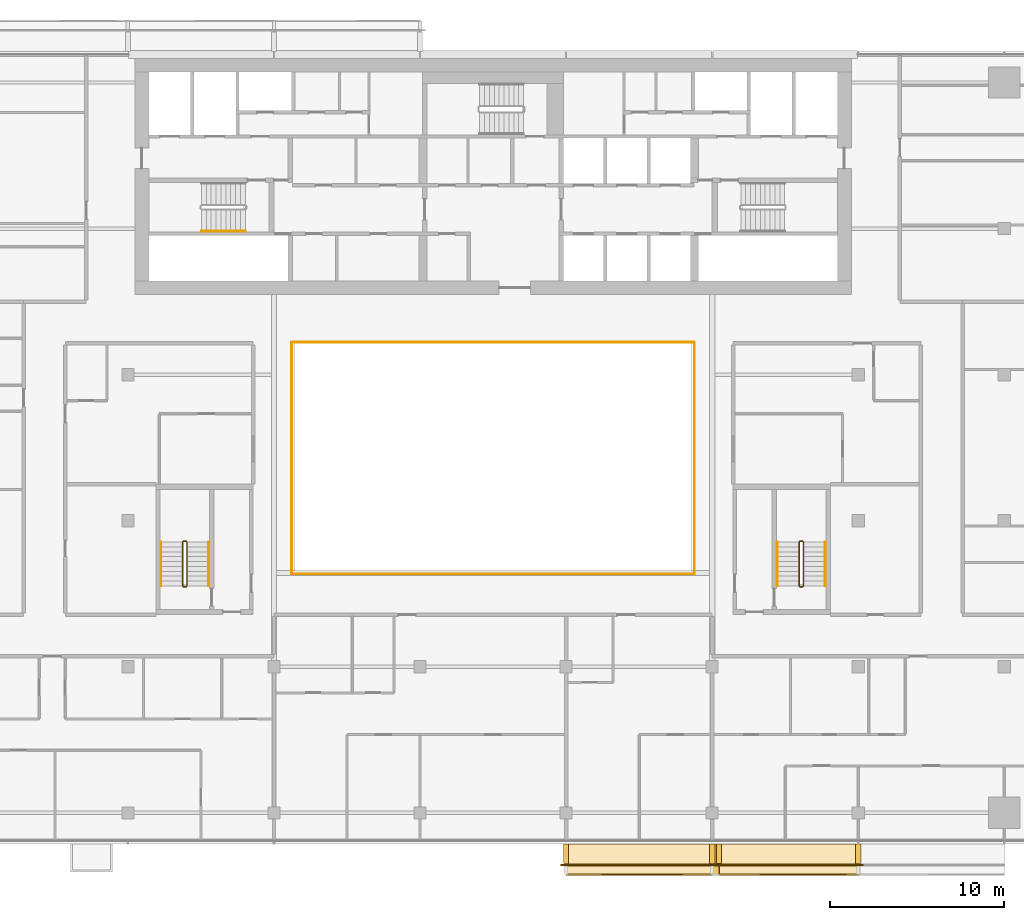
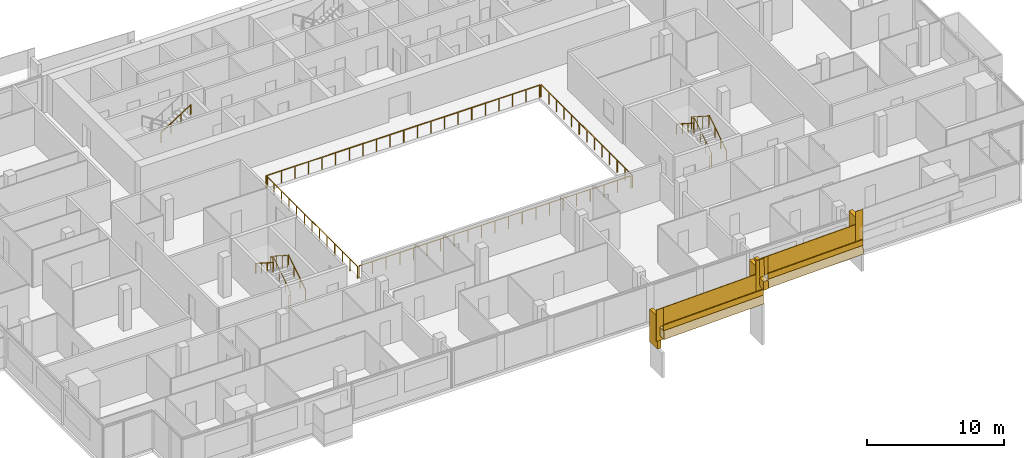
# One storey, part 26 of 28: 18 railings, 9 coverings.
"""IFC4 building model written with IfcOpenShell, lengths in metres."""

from ifc_helpers import new_model, si_unit, direction, frame, origin, origin_2d, place, context, subcontext, project, spatial, polyline, rectangle, circle, outline, extrude, material, layer, layer_set, type_object, element, save


model = new_model("IFC4")

# Units and contexts
model_context = context("Model", 3, precision=1e-05, world=origin(), true_north=direction((0.0, 1.0)))
body_context = subcontext(model_context, "Body", "Model", "MODEL_VIEW")
ifc_project = project(units=[si_unit("LENGTHUNIT", "METRE"), si_unit("AREAUNIT", "SQUARE_METRE"), si_unit("VOLUMEUNIT", "CUBIC_METRE"), si_unit("PLANEANGLEUNIT", "RADIAN"), si_unit("MASSUNIT", "GRAM", prefix="KILO")], contexts=[model_context])

# Site, building, storey
site_placement = place(None, origin())
site = spatial("IfcSite", under=ifc_project, at=site_placement, CompositionType="ELEMENT")
building_placement = place(site_placement, origin())
building = spatial("IfcBuilding", under=site, at=building_placement, Name="Saffron Gate Tower", CompositionType="ELEMENT")
storey_placement = place(building_placement, frame((0.0, 0.0, 176.25)))
storey = spatial("IfcBuildingStorey", under=building, at=storey_placement, Name="L43", CompositionType="ELEMENT", Elevation=176.25)

# Railings
ifc_material_1 = material(Name="Stainless steel and laminated glass", Category="steel")
railing_type_1 = type_object("IfcRailingType", Name="AG1 Atrium edge guard 1100", PredefinedType="GUARDRAIL", material=ifc_material_1)
railing_1_placement = place(storey_placement, frame((76.02001953125, 45.5400390625, 0.0)))
element("IfcRailing", 1, at=railing_1_placement, inside=storey, type_object=railing_type_1, Name="Guard C3-1", PredefinedType="GUARDRAIL", context=body_context, shape_type="SweptSolid", body=[
    extrude(circle(Radius=0.02392578125, at=origin_2d()), frame((0.0, 0.0, 1.076171875), z_axis=(0.0, 1.0, 0.0), x_axis=(-1.0, 0.0, 0.0)), (0.0, 0.0, 1.0), 13.320068359375),
    extrude(circle(Radius=0.02099609375, at=origin_2d()), origin(), (0.0, 0.0, 1.0), 1.052001953125),
    extrude(circle(Radius=0.02099609375, at=origin_2d()), frame((0.0, 1.110107421875, 0.0)), (0.0, 0.0, 1.0), 1.052001953125),
    extrude(circle(Radius=0.02099609375, at=origin_2d()), frame((0.0, 2.219970703125, 0.0)), (0.0, 0.0, 1.0), 1.052001953125),
    extrude(circle(Radius=0.02099609375, at=origin_2d()), frame((0.0, 3.330078125, 0.0)), (0.0, 0.0, 1.0), 1.052001953125),
    extrude(circle(Radius=0.02099609375, at=origin_2d()), frame((0.0, 4.43994140625, 0.0)), (0.0, 0.0, 1.0), 1.052001953125),
    extrude(circle(Radius=0.02099609375, at=origin_2d()), frame((0.0, 5.550048828125, 0.0)), (0.0, 0.0, 1.0), 1.052001953125),
    extrude(circle(Radius=0.02099609375, at=origin_2d()), frame((0.0, 6.66015625, 0.0)), (0.0, 0.0, 1.0), 1.052001953125),
    extrude(circle(Radius=0.02099609375, at=origin_2d()), frame((0.0, 7.77001953125, 0.0)), (0.0, 0.0, 1.0), 1.052001953125),
    extrude(circle(Radius=0.02099609375, at=origin_2d()), frame((0.0, 8.880126953125, 0.0)), (0.0, 0.0, 1.0), 1.052001953125),
    extrude(circle(Radius=0.02099609375, at=origin_2d()), frame((0.0, 9.989990234375, 0.0)), (0.0, 0.0, 1.0), 1.052001953125),
    extrude(circle(Radius=0.02099609375, at=origin_2d()), frame((0.0, 11.10009765625, 0.0)), (0.0, 0.0, 1.0), 1.052001953125),
    extrude(circle(Radius=0.02099609375, at=origin_2d()), frame((0.0, 12.2099609375, 0.0)), (0.0, 0.0, 1.0), 1.052001953125),
    extrude(circle(Radius=0.02099609375, at=origin_2d()), frame((0.0, 13.320068359375, 0.0)), (0.0, 0.0, 1.0), 1.052001953125),
])
railing_2_placement = place(storey_placement, frame((76.139892578125, 58.860107421875, 0.0)))
element("IfcRailing", 2, at=railing_2_placement, inside=storey, type_object=railing_type_1, Name="Guard C3-2", PredefinedType="GUARDRAIL", context=body_context, shape_type="SweptSolid", body=[
    extrude(circle(Radius=0.02392578125, at=origin_2d()), frame((0.0, 0.0, 1.076171875), z_axis=(1.0, 0.0, 0.0), x_axis=(0.0, 1.0, 0.0)), (0.0, 0.0, 1.0), 22.920166015625),
    extrude(circle(Radius=0.02099609375, at=origin_2d()), origin(), (0.0, 0.0, 1.0), 1.052001953125),
    extrude(circle(Radius=0.02099609375, at=origin_2d()), frame((1.14599609375, 0.0, 0.0)), (0.0, 0.0, 1.0), 1.052001953125),
    extrude(circle(Radius=0.02099609375, at=origin_2d()), frame((2.2919921875, 0.0, 0.0)), (0.0, 0.0, 1.0), 1.052001953125),
    extrude(circle(Radius=0.02099609375, at=origin_2d()), frame((3.43798828125, 0.0, 0.0)), (0.0, 0.0, 1.0), 1.052001953125),
    extrude(circle(Radius=0.02099609375, at=origin_2d()), frame((4.583984375, 0.0, 0.0)), (0.0, 0.0, 1.0), 1.052001953125),
    extrude(circle(Radius=0.02099609375, at=origin_2d()), frame((5.72998046875, 0.0, 0.0)), (0.0, 0.0, 1.0), 1.052001953125),
    extrude(circle(Radius=0.02099609375, at=origin_2d()), frame((6.8759765625, 0.0, 0.0)), (0.0, 0.0, 1.0), 1.052001953125),
    extrude(circle(Radius=0.02099609375, at=origin_2d()), frame((8.02197265625, 0.0, 0.0)), (0.0, 0.0, 1.0), 1.052001953125),
    extrude(circle(Radius=0.02099609375, at=origin_2d()), frame((9.16796875, 0.0, 0.0)), (0.0, 0.0, 1.0), 1.052001953125),
    extrude(circle(Radius=0.02099609375, at=origin_2d()), frame((10.31396484375, 0.0, 0.0)), (0.0, 0.0, 1.0), 1.052001953125),
    extrude(circle(Radius=0.02099609375, at=origin_2d()), frame((11.4599609375, 0.0, 0.0)), (0.0, 0.0, 1.0), 1.052001953125),
    extrude(circle(Radius=0.02099609375, at=origin_2d()), frame((12.606201171875, 0.0, 0.0)), (0.0, 0.0, 1.0), 1.052001953125),
    extrude(circle(Radius=0.02099609375, at=origin_2d()), frame((13.752197265625, 0.0, 0.0)), (0.0, 0.0, 1.0), 1.052001953125),
    extrude(circle(Radius=0.02099609375, at=origin_2d()), frame((14.898193359375, 0.0, 0.0)), (0.0, 0.0, 1.0), 1.052001953125),
    extrude(circle(Radius=0.02099609375, at=origin_2d()), frame((16.044189453125, 0.0, 0.0)), (0.0, 0.0, 1.0), 1.052001953125),
    extrude(circle(Radius=0.02099609375, at=origin_2d()), frame((17.190185546875, 0.0, 0.0)), (0.0, 0.0, 1.0), 1.052001953125),
    extrude(circle(Radius=0.02099609375, at=origin_2d()), frame((18.336181640625, 0.0, 0.0)), (0.0, 0.0, 1.0), 1.052001953125),
    extrude(circle(Radius=0.02099609375, at=origin_2d()), frame((19.482177734375, 0.0, 0.0)), (0.0, 0.0, 1.0), 1.052001953125),
    extrude(circle(Radius=0.02099609375, at=origin_2d()), frame((20.628173828125, 0.0, 0.0)), (0.0, 0.0, 1.0), 1.052001953125),
    extrude(circle(Radius=0.02099609375, at=origin_2d()), frame((21.774169921875, 0.0, 0.0)), (0.0, 0.0, 1.0), 1.052001953125),
    extrude(circle(Radius=0.02099609375, at=origin_2d()), frame((22.920166015625, 0.0, 0.0)), (0.0, 0.0, 1.0), 1.052001953125),
])
railing_3_placement = place(storey_placement, frame((99.179931640625, 58.860107421875, 0.0)))
element("IfcRailing", 3, at=railing_3_placement, inside=storey, type_object=railing_type_1, Name="Guard C3-3", PredefinedType="GUARDRAIL", context=body_context, shape_type="SweptSolid", body=[
    extrude(circle(Radius=0.02392578125, at=origin_2d()), frame((0.0, 0.0, 1.076171875), z_axis=(0.0, -1.0, 0.0), x_axis=(1.0, 0.0, 0.0)), (0.0, 0.0, 1.0), 13.320068359375),
    extrude(circle(Radius=0.02099609375, at=origin_2d()), origin(), (0.0, 0.0, 1.0), 1.052001953125),
    extrude(circle(Radius=0.02099609375, at=origin_2d()), frame((0.0, -1.110107421875, 0.0)), (0.0, 0.0, 1.0), 1.052001953125),
    extrude(circle(Radius=0.02099609375, at=origin_2d()), frame((0.0, -2.219970703125, 0.0)), (0.0, 0.0, 1.0), 1.052001953125),
    extrude(circle(Radius=0.02099609375, at=origin_2d()), frame((0.0, -3.330078125, 0.0)), (0.0, 0.0, 1.0), 1.052001953125),
    extrude(circle(Radius=0.02099609375, at=origin_2d()), frame((0.0, -4.43994140625, 0.0)), (0.0, 0.0, 1.0), 1.052001953125),
    extrude(circle(Radius=0.02099609375, at=origin_2d()), frame((0.0, -5.550048828125, 0.0)), (0.0, 0.0, 1.0), 1.052001953125),
    extrude(circle(Radius=0.02099609375, at=origin_2d()), frame((0.0, -6.66015625, 0.0)), (0.0, 0.0, 1.0), 1.052001953125),
    extrude(circle(Radius=0.02099609375, at=origin_2d()), frame((0.0, -7.77001953125, 0.0)), (0.0, 0.0, 1.0), 1.052001953125),
    extrude(circle(Radius=0.02099609375, at=origin_2d()), frame((0.0, -8.880126953125, 0.0)), (0.0, 0.0, 1.0), 1.052001953125),
    extrude(circle(Radius=0.02099609375, at=origin_2d()), frame((0.0, -9.989990234375, 0.0)), (0.0, 0.0, 1.0), 1.052001953125),
    extrude(circle(Radius=0.02099609375, at=origin_2d()), frame((0.0, -11.10009765625, 0.0)), (0.0, 0.0, 1.0), 1.052001953125),
    extrude(circle(Radius=0.02099609375, at=origin_2d()), frame((0.0, -12.2099609375, 0.0)), (0.0, 0.0, 1.0), 1.052001953125),
    extrude(circle(Radius=0.02099609375, at=origin_2d()), frame((0.0, -13.320068359375, 0.0)), (0.0, 0.0, 1.0), 1.052001953125),
])
railing_4_placement = place(storey_placement, frame((99.06005859375, 45.5400390625, 0.0)))
element("IfcRailing", 4, at=railing_4_placement, inside=storey, type_object=railing_type_1, Name="Guard C3-4", PredefinedType="GUARDRAIL", context=body_context, shape_type="SweptSolid", body=[
    extrude(circle(Radius=0.02392578125, at=origin_2d()), frame((0.0, 0.0, 1.076171875), z_axis=(-1.0, 0.0, 0.0), x_axis=(0.0, -1.0, 0.0)), (0.0, 0.0, 1.0), 22.920166015625),
    extrude(circle(Radius=0.02099609375, at=origin_2d()), origin(), (0.0, 0.0, 1.0), 1.052001953125),
    extrude(circle(Radius=0.02099609375, at=origin_2d()), frame((-1.14599609375, 0.0, 0.0)), (0.0, 0.0, 1.0), 1.052001953125),
    extrude(circle(Radius=0.02099609375, at=origin_2d()), frame((-2.2919921875, 0.0, 0.0)), (0.0, 0.0, 1.0), 1.052001953125),
    extrude(circle(Radius=0.02099609375, at=origin_2d()), frame((-3.43798828125, 0.0, 0.0)), (0.0, 0.0, 1.0), 1.052001953125),
    extrude(circle(Radius=0.02099609375, at=origin_2d()), frame((-4.583984375, 0.0, 0.0)), (0.0, 0.0, 1.0), 1.052001953125),
    extrude(circle(Radius=0.02099609375, at=origin_2d()), frame((-5.72998046875, 0.0, 0.0)), (0.0, 0.0, 1.0), 1.052001953125),
    extrude(circle(Radius=0.02099609375, at=origin_2d()), frame((-6.8759765625, 0.0, 0.0)), (0.0, 0.0, 1.0), 1.052001953125),
    extrude(circle(Radius=0.02099609375, at=origin_2d()), frame((-8.02197265625, 0.0, 0.0)), (0.0, 0.0, 1.0), 1.052001953125),
    extrude(circle(Radius=0.02099609375, at=origin_2d()), frame((-9.16796875, 0.0, 0.0)), (0.0, 0.0, 1.0), 1.052001953125),
    extrude(circle(Radius=0.02099609375, at=origin_2d()), frame((-10.31396484375, 0.0, 0.0)), (0.0, 0.0, 1.0), 1.052001953125),
    extrude(circle(Radius=0.02099609375, at=origin_2d()), frame((-11.4599609375, 0.0, 0.0)), (0.0, 0.0, 1.0), 1.052001953125),
    extrude(circle(Radius=0.02099609375, at=origin_2d()), frame((-12.606201171875, 0.0, 0.0)), (0.0, 0.0, 1.0), 1.052001953125),
    extrude(circle(Radius=0.02099609375, at=origin_2d()), frame((-13.752197265625, 0.0, 0.0)), (0.0, 0.0, 1.0), 1.052001953125),
    extrude(circle(Radius=0.02099609375, at=origin_2d()), frame((-14.898193359375, 0.0, 0.0)), (0.0, 0.0, 1.0), 1.052001953125),
    extrude(circle(Radius=0.02099609375, at=origin_2d()), frame((-16.044189453125, 0.0, 0.0)), (0.0, 0.0, 1.0), 1.052001953125),
    extrude(circle(Radius=0.02099609375, at=origin_2d()), frame((-17.190185546875, 0.0, 0.0)), (0.0, 0.0, 1.0), 1.052001953125),
    extrude(circle(Radius=0.02099609375, at=origin_2d()), frame((-18.336181640625, 0.0, 0.0)), (0.0, 0.0, 1.0), 1.052001953125),
    extrude(circle(Radius=0.02099609375, at=origin_2d()), frame((-19.482177734375, 0.0, 0.0)), (0.0, 0.0, 1.0), 1.052001953125),
    extrude(circle(Radius=0.02099609375, at=origin_2d()), frame((-20.628173828125, 0.0, 0.0)), (0.0, 0.0, 1.0), 1.052001953125),
    extrude(circle(Radius=0.02099609375, at=origin_2d()), frame((-21.774169921875, 0.0, 0.0)), (0.0, 0.0, 1.0), 1.052001953125),
    extrude(circle(Radius=0.02099609375, at=origin_2d()), frame((-22.920166015625, 0.0, 0.0)), (0.0, 0.0, 1.0), 1.052001953125),
])
railing_type_2 = type_object("IfcRailingType", Name="CR1 Stair guard 1100", PredefinedType="GUARDRAIL", material=ifc_material_1)
railing_5_placement = place(storey_placement, frame((69.800048828125, 44.800048828125, 0.0)))
element("IfcRailing", 5, at=railing_5_placement, inside=storey, type_object=railing_type_2, Name="L43 ST-D stair guard 1", PredefinedType="GUARDRAIL", context=body_context, shape_type="SweptSolid", body=[
    extrude(circle(Radius=0.02392578125, at=origin_2d()), frame((0.0, 0.0, 1.076171875), z_axis=(1.0, 0.0, 0.0), x_axis=(0.0, 1.0, 0.0)), (0.0, 0.0, 1.0), 0.14990234375),
    extrude(circle(Radius=0.02392578125, at=origin_2d()), frame((0.14990234375, 0.0, 1.076171875), z_axis=(0.258847668887, 0.258847668887, 0.930588936439), x_axis=(-0.707106781187, 0.707106781187, 0.0)), (0.0, 0.0, 1.0), 0.193359375),
    extrude(circle(Radius=0.02392578125, at=origin_2d()), frame((0.199951171875, 0.050048828125, 1.255859375), z_axis=(0.0, 0.841162588446, 0.540782303519), x_axis=(-1.0, 0.0, 0.0)), (0.0, 0.0, 1.0), 2.995849609375),
    extrude(circle(Radius=0.02392578125, at=origin_2d()), frame((0.199951171875, 2.570068359375, 2.8759765625), z_axis=(-0.708833529934, 0.705375805398, 0.0), x_axis=(-0.705375805398, -0.708833529934, 0.0)), (0.0, 0.0, 1.0), 0.070556640625),
    extrude(circle(Radius=0.02392578125, at=origin_2d()), frame((0.14990234375, 2.619873046875, 2.8759765625), z_axis=(-1.0, 0.0, 0.0), x_axis=(0.0, -1.0, 0.0)), (0.0, 0.0, 1.0), 0.14990234375),
    extrude(circle(Radius=0.02392578125, at=origin_2d()), frame((0.0, 2.619873046875, 2.8759765625), z_axis=(-0.258932105505, -0.257669022063, 0.930892496375), x_axis=(0.705375805398, -0.708833529934, 0.0)), (0.0, 0.0, 1.0), 0.193359375),
    extrude(circle(Radius=0.02392578125, at=origin_2d()), frame((-0.050048828125, 2.570068359375, 3.05615234375), z_axis=(0.0, -0.841162588446, 0.540782303519), x_axis=(1.0, 0.0, 0.0)), (0.0, 0.0, 1.0), 2.995849609375),
    extrude(circle(Radius=0.02099609375, at=origin_2d()), origin(), (0.0, 0.0, 1.0), 1.052001953125),
    extrude(circle(Radius=0.02099609375, at=origin_2d()), frame((0.14990234375, 0.0, 0.0)), (0.0, 0.0, 1.0), 1.052001953125),
    extrude(circle(Radius=0.02099609375, at=origin_2d()), frame((0.199951171875, 0.050048828125, 0.179931640625)), (0.0, 0.0, 1.0), 1.052001953125),
    extrude(circle(Radius=0.02099609375, at=origin_2d()), frame((0.199951171875, 0.89013671875, 0.719970703125)), (0.0, 0.0, 1.0), 1.052001953125),
    extrude(circle(Radius=0.02099609375, at=origin_2d()), frame((0.199951171875, 1.72998046875, 1.260009765625)), (0.0, 0.0, 1.0), 1.052001953125),
    extrude(circle(Radius=0.02099609375, at=origin_2d()), frame((0.199951171875, 2.570068359375, 1.800048828125)), (0.0, 0.0, 1.0), 1.052001953125),
    extrude(circle(Radius=0.02099609375, at=origin_2d()), frame((0.14990234375, 2.619873046875, 1.800048828125)), (0.0, 0.0, 1.0), 1.052001953125),
    extrude(circle(Radius=0.02099609375, at=origin_2d()), frame((0.0, 2.619873046875, 1.800048828125)), (0.0, 0.0, 1.0), 1.052001953125),
    extrude(circle(Radius=0.02099609375, at=origin_2d()), frame((-0.050048828125, 2.570068359375, 1.97998046875)), (0.0, 0.0, 1.0), 1.052001953125),
    extrude(circle(Radius=0.02099609375, at=origin_2d()), frame((-0.050048828125, 1.72998046875, 2.52001953125)), (0.0, 0.0, 1.0), 1.052001953125),
    extrude(circle(Radius=0.02099609375, at=origin_2d()), frame((-0.050048828125, 0.89013671875, 3.06005859375)), (0.0, 0.0, 1.0), 1.052001953125),
    extrude(circle(Radius=0.02099609375, at=origin_2d()), frame((-0.050048828125, 0.050048828125, 3.60009765625)), (0.0, 0.0, 1.0), 1.052001953125),
])
railing_6_placement = place(storey_placement, frame((105.25, 44.800048828125, 0.0)))
element("IfcRailing", 6, at=railing_6_placement, inside=storey, type_object=railing_type_2, Name="L43 ST-E stair guard 1", PredefinedType="GUARDRAIL", context=body_context, shape_type="SweptSolid", body=[
    extrude(circle(Radius=0.02392578125, at=origin_2d()), frame((0.0, 0.0, 1.076171875), z_axis=(1.0, 0.0, 0.0), x_axis=(0.0, 1.0, 0.0)), (0.0, 0.0, 1.0), 0.14990234375),
    extrude(circle(Radius=0.02392578125, at=origin_2d()), frame((0.14990234375, 0.0, 1.076171875), z_axis=(0.258847668887, 0.258847668887, 0.930588936439), x_axis=(-0.707106781187, 0.707106781187, 0.0)), (0.0, 0.0, 1.0), 0.193359375),
    extrude(circle(Radius=0.02392578125, at=origin_2d()), frame((0.199951171875, 0.050048828125, 1.255859375), z_axis=(0.0, 0.841162588446, 0.540782303519), x_axis=(-1.0, 0.0, 0.0)), (0.0, 0.0, 1.0), 2.995849609375),
    extrude(circle(Radius=0.02392578125, at=origin_2d()), frame((0.199951171875, 2.570068359375, 2.8759765625), z_axis=(-0.708833529934, 0.705375805398, 0.0), x_axis=(-0.705375805398, -0.708833529934, 0.0)), (0.0, 0.0, 1.0), 0.070556640625),
    extrude(circle(Radius=0.02392578125, at=origin_2d()), frame((0.14990234375, 2.619873046875, 2.8759765625), z_axis=(-1.0, 0.0, 0.0), x_axis=(0.0, -1.0, 0.0)), (0.0, 0.0, 1.0), 0.14990234375),
    extrude(circle(Radius=0.02392578125, at=origin_2d()), frame((0.0, 2.619873046875, 2.8759765625), z_axis=(-0.258932105505, -0.257669022063, 0.930892496375), x_axis=(0.705375805398, -0.708833529934, 0.0)), (0.0, 0.0, 1.0), 0.193359375),
    extrude(circle(Radius=0.02392578125, at=origin_2d()), frame((-0.050048828125, 2.570068359375, 3.05615234375), z_axis=(0.0, -0.841162588446, 0.540782303519), x_axis=(1.0, 0.0, 0.0)), (0.0, 0.0, 1.0), 2.995849609375),
    extrude(circle(Radius=0.02099609375, at=origin_2d()), origin(), (0.0, 0.0, 1.0), 1.052001953125),
    extrude(circle(Radius=0.02099609375, at=origin_2d()), frame((0.14990234375, 0.0, 0.0)), (0.0, 0.0, 1.0), 1.052001953125),
    extrude(circle(Radius=0.02099609375, at=origin_2d()), frame((0.199951171875, 0.050048828125, 0.179931640625)), (0.0, 0.0, 1.0), 1.052001953125),
    extrude(circle(Radius=0.02099609375, at=origin_2d()), frame((0.199951171875, 0.89013671875, 0.719970703125)), (0.0, 0.0, 1.0), 1.052001953125),
    extrude(circle(Radius=0.02099609375, at=origin_2d()), frame((0.199951171875, 1.72998046875, 1.260009765625)), (0.0, 0.0, 1.0), 1.052001953125),
    extrude(circle(Radius=0.02099609375, at=origin_2d()), frame((0.199951171875, 2.570068359375, 1.800048828125)), (0.0, 0.0, 1.0), 1.052001953125),
    extrude(circle(Radius=0.02099609375, at=origin_2d()), frame((0.14990234375, 2.619873046875, 1.800048828125)), (0.0, 0.0, 1.0), 1.052001953125),
    extrude(circle(Radius=0.02099609375, at=origin_2d()), frame((0.0, 2.619873046875, 1.800048828125)), (0.0, 0.0, 1.0), 1.052001953125),
    extrude(circle(Radius=0.02099609375, at=origin_2d()), frame((-0.050048828125, 2.570068359375, 1.97998046875)), (0.0, 0.0, 1.0), 1.052001953125),
    extrude(circle(Radius=0.02099609375, at=origin_2d()), frame((-0.050048828125, 1.72998046875, 2.52001953125)), (0.0, 0.0, 1.0), 1.052001953125),
    extrude(circle(Radius=0.02099609375, at=origin_2d()), frame((-0.050048828125, 0.89013671875, 3.06005859375)), (0.0, 0.0, 1.0), 1.052001953125),
    extrude(circle(Radius=0.02099609375, at=origin_2d()), frame((-0.050048828125, 0.050048828125, 3.60009765625)), (0.0, 0.0, 1.0), 1.052001953125),
])
ifc_material_2 = material(Name="Stainless steel", Category="steel")
railing_type_3 = type_object("IfcRailingType", Name="CR2 Stair handrail 900", PredefinedType="HANDRAIL", material=ifc_material_2)
railing_7_placement = place(storey_placement, frame((70.830078125, 65.25, 1.97998046875)))
element("IfcRailing", 7, at=railing_7_placement, inside=storey, type_object=railing_type_3, Name="L43 ST-A stair handrail 2", PredefinedType="HANDRAIL", context=body_context, shape_type="SweptSolid", body=[
    extrude(circle(Radius=0.02392578125, at=origin_2d()), frame((0.0, 0.0, 0.8759765625), z_axis=(0.841162588446, 0.0, 0.540782303519), x_axis=(0.0, 1.0, 0.0)), (0.0, 0.0, 1.0), 2.995849609375),
    extrude(circle(Radius=0.02099609375, at=origin_2d()), origin(), (0.0, 0.0, 1.0), 0.851806640625),
    extrude(circle(Radius=0.02099609375, at=origin_2d()), frame((0.840087890625, 0.0, 0.5400390625)), (0.0, 0.0, 1.0), 0.851806640625),
    extrude(circle(Radius=0.02099609375, at=origin_2d()), frame((1.679931640625, 0.0, 1.080078125)), (0.0, 0.0, 1.0), 0.851806640625),
    extrude(circle(Radius=0.02099609375, at=origin_2d()), frame((2.52001953125, 0.0, 1.6201171875)), (0.0, 0.0, 1.0), 0.851806640625),
])
railing_8_placement = place(storey_placement, frame((71.25, 44.85009765625, 0.179931640625)))
element("IfcRailing", 8, at=railing_8_placement, inside=storey, type_object=railing_type_3, Name="L43 ST-D stair handrail 1", PredefinedType="HANDRAIL", context=body_context, shape_type="SweptSolid", body=[
    extrude(circle(Radius=0.02392578125, at=origin_2d()), frame((0.0, 0.0, 0.8759765625), z_axis=(0.0, 0.841162588446, 0.540782303519), x_axis=(-1.0, 0.0, 0.0)), (0.0, 0.0, 1.0), 2.995849609375),
    extrude(circle(Radius=0.02099609375, at=origin_2d()), origin(), (0.0, 0.0, 1.0), 0.851806640625),
    extrude(circle(Radius=0.02099609375, at=origin_2d()), frame((0.0, 0.840087890625, 0.5400390625)), (0.0, 0.0, 1.0), 0.851806640625),
    extrude(circle(Radius=0.02099609375, at=origin_2d()), frame((0.0, 1.679931640625, 1.080078125)), (0.0, 0.0, 1.0), 0.851806640625),
    extrude(circle(Radius=0.02099609375, at=origin_2d()), frame((0.0, 2.52001953125, 1.6201171875)), (0.0, 0.0, 1.0), 0.851806640625),
])
railing_9_placement = place(storey_placement, frame((68.5, 47.3701171875, 1.97998046875)))
element("IfcRailing", 9, at=railing_9_placement, inside=storey, type_object=railing_type_3, Name="L43 ST-D stair handrail 2", PredefinedType="HANDRAIL", context=body_context, shape_type="SweptSolid", body=[
    extrude(circle(Radius=0.02392578125, at=origin_2d()), frame((0.0, 0.0, 0.8759765625), z_axis=(0.0, -0.841162588446, 0.540782303519), x_axis=(1.0, 0.0, 0.0)), (0.0, 0.0, 1.0), 2.995849609375),
    extrude(circle(Radius=0.02099609375, at=origin_2d()), origin(), (0.0, 0.0, 1.0), 0.851806640625),
    extrude(circle(Radius=0.02099609375, at=origin_2d()), frame((0.0, -0.840087890625, 0.5400390625)), (0.0, 0.0, 1.0), 0.851806640625),
    extrude(circle(Radius=0.02099609375, at=origin_2d()), frame((0.0, -1.679931640625, 1.080078125)), (0.0, 0.0, 1.0), 0.851806640625),
    extrude(circle(Radius=0.02099609375, at=origin_2d()), frame((0.0, -2.52001953125, 1.6201171875)), (0.0, 0.0, 1.0), 0.851806640625),
])
railing_10_placement = place(storey_placement, frame((106.699951171875, 44.85009765625, 0.179931640625)))
element("IfcRailing", 10, at=railing_10_placement, inside=storey, type_object=railing_type_3, Name="L43 ST-E stair handrail 1", PredefinedType="HANDRAIL", context=body_context, shape_type="SweptSolid", body=[
    extrude(circle(Radius=0.02392578125, at=origin_2d()), frame((0.0, 0.0, 0.8759765625), z_axis=(0.0, 0.841162588446, 0.540782303519), x_axis=(-1.0, 0.0, 0.0)), (0.0, 0.0, 1.0), 2.995849609375),
    extrude(circle(Radius=0.02099609375, at=origin_2d()), origin(), (0.0, 0.0, 1.0), 0.851806640625),
    extrude(circle(Radius=0.02099609375, at=origin_2d()), frame((0.0, 0.840087890625, 0.5400390625)), (0.0, 0.0, 1.0), 0.851806640625),
    extrude(circle(Radius=0.02099609375, at=origin_2d()), frame((0.0, 1.679931640625, 1.080078125)), (0.0, 0.0, 1.0), 0.851806640625),
    extrude(circle(Radius=0.02099609375, at=origin_2d()), frame((0.0, 2.52001953125, 1.6201171875)), (0.0, 0.0, 1.0), 0.851806640625),
])
railing_11_placement = place(storey_placement, frame((103.949951171875, 47.3701171875, 1.97998046875)))
element("IfcRailing", 11, at=railing_11_placement, inside=storey, type_object=railing_type_3, Name="L43 ST-E stair handrail 2", PredefinedType="HANDRAIL", context=body_context, shape_type="SweptSolid", body=[
    extrude(circle(Radius=0.02392578125, at=origin_2d()), frame((0.0, 0.0, 0.8759765625), z_axis=(0.0, -0.841162588446, 0.540782303519), x_axis=(1.0, 0.0, 0.0)), (0.0, 0.0, 1.0), 2.995849609375),
    extrude(circle(Radius=0.02099609375, at=origin_2d()), origin(), (0.0, 0.0, 1.0), 0.851806640625),
    extrude(circle(Radius=0.02099609375, at=origin_2d()), frame((0.0, -0.840087890625, 0.5400390625)), (0.0, 0.0, 1.0), 0.851806640625),
    extrude(circle(Radius=0.02099609375, at=origin_2d()), frame((0.0, -1.679931640625, 1.080078125)), (0.0, 0.0, 1.0), 0.851806640625),
    extrude(circle(Radius=0.02099609375, at=origin_2d()), frame((0.0, -2.52001953125, 1.6201171875)), (0.0, 0.0, 1.0), 0.851806640625),
])

# Coverings
ifc_material_3 = material(Name="Timber, thermally modified ash", Category="wood")
ifc_layer_1 = layer(ifc_material_3, 0.800048828125)
ifc_layer_set_1 = layer_set([ifc_layer_1], Name="LD1 ledge timber")
covering_type_1 = type_object("IfcCoveringType", Name="LD1 ledge timber", PredefinedType="CLADDING", material=ifc_layer_set_1)
covering_1_placement = place(storey_placement, frame((91.800048828125, 30.0, 0.32861328125), z_axis=(-0.028791175352, 0.0, 0.999585448184), x_axis=(0.999585448184, 0.0, 0.028791175352)))
element("IfcCovering", 12, at=covering_1_placement, inside=storey, type_object=covering_type_1, Name="LEDGE", PredefinedType="CLADDING", context=body_context, shape_type="SweptSolid", body=[
    extrude(outline(polyline([(0.0, 0.0), (8.403385982666892, 0.0), (8.403385982666892, -1.800048828125), (0.0, -1.800048828125), (0.0, 0.0)])), origin(), (0.0, 0.0, -1.0), 0.800048828125),
])
covering_2_placement = place(storey_placement, frame((100.199951171875, 30.0, 1.77099609375), z_axis=(-0.028664238881, 0.0, 0.999589096284), x_axis=(0.999589096284, 0.0, 0.028664238881)))
element("IfcCovering", 13, at=covering_2_placement, inside=storey, type_object=covering_type_1, Name="LEDGE", PredefinedType="CLADDING", context=body_context, shape_type="SweptSolid", body=[
    extrude(outline(polyline([(0.0, 0.0), (0.40031097364171886, 0.0), (0.40031097364171886, -1.8000488281250004), (0.0, -1.8000488281250004), (0.0, 0.0)])), origin(), (0.0, 0.0, -1.0), 0.800048828125),
])
covering_3_placement = place(storey_placement, frame((100.60009765625, 30.0, 1.839599609375), z_axis=(-0.028796646555, 0.0, 0.999585290582), x_axis=(0.999585290582, 0.0, 0.028796646555)))
element("IfcCovering", 14, at=covering_3_placement, inside=storey, type_object=covering_type_1, Name="LEDGE", PredefinedType="CLADDING", context=body_context, shape_type="SweptSolid", body=[
    extrude(outline(polyline([(0.0, 0.0), (8.003319051788862, 0.0), (8.003319051788862, -1.800048828125), (0.0, -1.800048828125), (0.0, 0.0)])), origin(), (0.0, 0.0, -1.0), 0.800048828125),
])
ifc_layer_2 = layer(ifc_material_3, 0.080078125)
ifc_layer_set_2 = layer_set([ifc_layer_2], Name="LD2 ledge planter trough")
covering_type_2 = type_object("IfcCoveringType", Name="LD2 ledge planter trough", PredefinedType="CLADDING", material=ifc_layer_set_2)
covering_4_placement = place(storey_placement, frame((91.800048828125, 28.199951171875, 0.32861328125), z_axis=(0.0, -1.0, 0.0), x_axis=(0.999585448184, 0.0, 0.028791175352)))
element("IfcCovering", 15, at=covering_4_placement, inside=storey, type_object=covering_type_2, Name="LEDGE planter trough", PredefinedType="CLADDING", context=body_context, shape_type="SweptSolid", body=[
    extrude(outline(polyline([(0.0, 0.0), (8.403385982666892, 0.0), (8.417781570342743, 0.49979272409216496), (0.014395587675851172, 0.4997927240921649), (0.0, 0.0)])), origin(), (0.0, 0.0, -1.0), 0.080078125),
])
covering_5_placement = place(storey_placement, frame((100.60009765625, 28.199951171875, 1.839599609375), z_axis=(0.0, -1.0, 0.0), x_axis=(0.999585290582, 0.0, 0.028796646555)))
element("IfcCovering", 16, at=covering_5_placement, inside=storey, type_object=covering_type_2, Name="LEDGE planter trough", PredefinedType="CLADDING", context=body_context, shape_type="SweptSolid", body=[
    extrude(outline(polyline([(0.0, 0.0), (8.003319051788862, 0.0), (8.017717375066283, 0.4997926452908234), (0.014398323277421184, 0.49979264529082346), (0.0, 0.0)])), origin(), (0.0, 0.0, -1.0), 0.080078125),
])
ifc_layer_3 = layer(ifc_material_3, 0.300048828125)
ifc_layer_set_3 = layer_set([ifc_layer_3], Name="LD3 ledge riser fin")
covering_type_3 = type_object("IfcCoveringType", Name="LD3 ledge riser fin", PredefinedType="CLADDING", material=ifc_layer_set_3)
for number, where, z_axis, x_axis, name in (
    (17, (91.800048828125, 29.43994140625, -1.671875), (0.0, 0.0, 1.0), (1.0, 0.0, 0.0), "LEDGE riser fin"),
    (18, (100.199951171875, 29.43994140625, -0.2294921875), (0.0, 0.0, 1.0), (1.0, 0.0, 0.0), "LEDGE riser fin"),
):
    element("IfcCovering", number, at=place(storey_placement, frame(where, z_axis=z_axis, x_axis=x_axis)), inside=storey, type_object=covering_type_3, Name=name, PredefinedType="CLADDING", context=body_context, shape_type="SweptSolid", body=[
        extrude(rectangle(XDim=0.300048828125, YDim=1.1201171875, at=origin_2d()), origin(), (0.0, 0.0, 1.0), 2.900390625),
    ])
covering_6_placement = place(storey_placement, frame((100.60009765625, 29.43994140625, 0.982421875), z_axis=(0.0, 0.0, 1.0), x_axis=(1.0, 0.0, 0.0)))
element("IfcCovering", 19, at=covering_6_placement, inside=storey, type_object=covering_type_3, Name="LEDGE riser fin", PredefinedType="CLADDING", context=body_context, shape_type="SweptSolid", body=[
    extrude(rectangle(XDim=0.300048828125, YDim=1.1201171875, at=origin_2d()), origin(), (0.0, 0.0, 1.0), 1.757080078125),
])
covering_7_placement = place(storey_placement, frame((108.60009765625, 29.43994140625, 1.27001953125), z_axis=(0.0, 0.0, 1.0), x_axis=(1.0, 0.0, 0.0)))
element("IfcCovering", 20, at=covering_7_placement, inside=storey, type_object=covering_type_3, Name="LEDGE riser fin", PredefinedType="CLADDING", context=body_context, shape_type="SweptSolid", body=[
    extrude(rectangle(XDim=0.300048828125, YDim=1.1201171875, at=origin_2d()), origin(), (0.0, 0.0, 1.0), 2.84326171875),
])

# Railings
railing_type_4 = type_object("IfcRailingType", Name="LG1 ledge balustrade", PredefinedType="BALUSTRADE", material=ifc_material_3)
railing_12_placement = place(storey_placement, frame((91.800048828125, 28.800048828125, 0.32861328125)))
element("IfcRailing", 21, at=railing_12_placement, inside=storey, type_object=railing_type_4, Name="LEDGE BALUSTRADE", PredefinedType="BALUSTRADE", context=body_context, shape_type="SweptSolid", body=[
    extrude(rectangle(XDim=0.06005859375, YDim=1.60009765625, at=origin_2d()), frame((0.0, 0.0, 0.800048828125), z_axis=(0.999585448184, 0.0, 0.028791175352), x_axis=(0.0, 1.0, 0.0)), (0.0, 0.0, 1.0), 8.4033203125),
])
railing_13_placement = place(storey_placement, frame((91.5, 28.800048828125, -0.871826171875)))
element("IfcRailing", 22, at=railing_13_placement, inside=storey, type_object=railing_type_4, Name="LEDGE BALUSTRADE", PredefinedType="BALUSTRADE", context=body_context, shape_type="SweptSolid", body=[
    extrude(rectangle(XDim=0.06005859375, YDim=2.80029296875, at=origin_2d()), frame((0.0, 0.0, 1.400146484375), z_axis=(1.0, 0.0, 0.0), x_axis=(0.0, 1.0, 0.0)), (0.0, 0.0, 1.0), 0.60009765625),
])
railing_14_placement = place(storey_placement, frame((100.199951171875, 28.800048828125, 1.77099609375)))
element("IfcRailing", 23, at=railing_14_placement, inside=storey, type_object=railing_type_4, Name="LEDGE BALUSTRADE", PredefinedType="BALUSTRADE", context=body_context, shape_type="SweptSolid", body=[
    extrude(rectangle(XDim=0.06005859375, YDim=1.60009765625, at=origin_2d()), frame((0.0, 0.0, 0.800048828125), z_axis=(0.999589096284, 0.0, 0.028664238881), x_axis=(0.0, 1.0, 0.0)), (0.0, 0.0, 1.0), 0.400390625),
])
railing_15_placement = place(storey_placement, frame((99.89990234375, 28.800048828125, 0.570556640625)))
element("IfcRailing", 24, at=railing_15_placement, inside=storey, type_object=railing_type_4, Name="LEDGE BALUSTRADE", PredefinedType="BALUSTRADE", context=body_context, shape_type="SweptSolid", body=[
    extrude(rectangle(XDim=0.06005859375, YDim=2.80029296875, at=origin_2d()), frame((0.0, 0.0, 1.400146484375), z_axis=(1.0, 0.0, 0.0), x_axis=(0.0, 1.0, 0.0)), (0.0, 0.0, 1.0), 0.60009765625),
])
railing_16_placement = place(storey_placement, frame((100.60009765625, 28.800048828125, 1.839599609375)))
element("IfcRailing", 25, at=railing_16_placement, inside=storey, type_object=railing_type_4, Name="LEDGE BALUSTRADE", PredefinedType="BALUSTRADE", context=body_context, shape_type="SweptSolid", body=[
    extrude(rectangle(XDim=0.06005859375, YDim=1.60009765625, at=origin_2d()), frame((0.0, 0.0, 0.800048828125), z_axis=(0.999585290582, 0.0, 0.028796646555), x_axis=(0.0, 1.0, 0.0)), (0.0, 0.0, 1.0), 8.00341796875),
])
railing_17_placement = place(storey_placement, frame((100.300048828125, 28.800048828125, 1.782470703125)))
element("IfcRailing", 26, at=railing_17_placement, inside=storey, type_object=railing_type_4, Name="LEDGE BALUSTRADE", PredefinedType="BALUSTRADE", context=body_context, shape_type="SweptSolid", body=[
    extrude(rectangle(XDim=0.06005859375, YDim=1.6572265625, at=origin_2d()), frame((0.0, 0.0, 0.82861328125), z_axis=(1.0, 0.0, 0.0), x_axis=(0.0, 1.0, 0.0)), (0.0, 0.0, 1.0), 0.599853515625),
])
railing_18_placement = place(storey_placement, frame((108.300048828125, 28.800048828125, 2.070068359375)))
element("IfcRailing", 27, at=railing_18_placement, inside=storey, type_object=railing_type_4, Name="LEDGE BALUSTRADE", PredefinedType="BALUSTRADE", context=body_context, shape_type="SweptSolid", body=[
    extrude(rectangle(XDim=0.06005859375, YDim=2.7431640625, at=origin_2d()), frame((0.0, 0.0, 1.37158203125), z_axis=(1.0, 0.0, 0.0), x_axis=(0.0, 1.0, 0.0)), (0.0, 0.0, 1.0), 0.599853515625),
])

save(model, "model.ifc")
